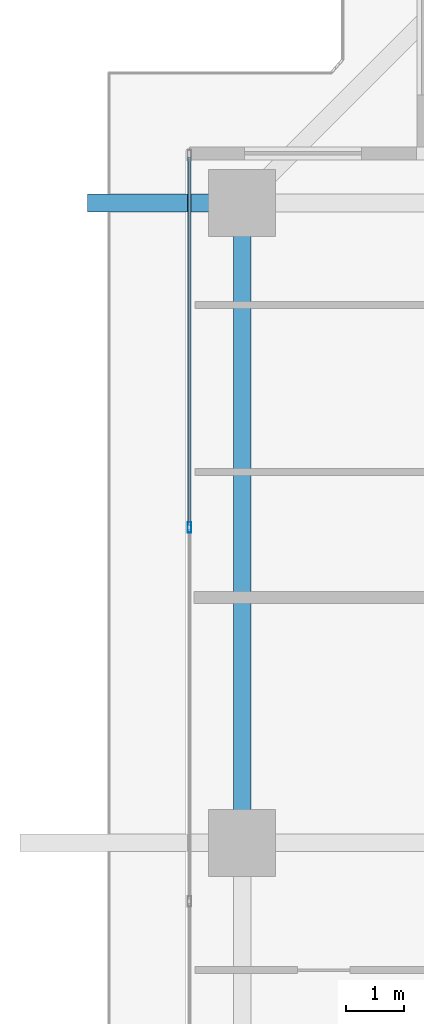
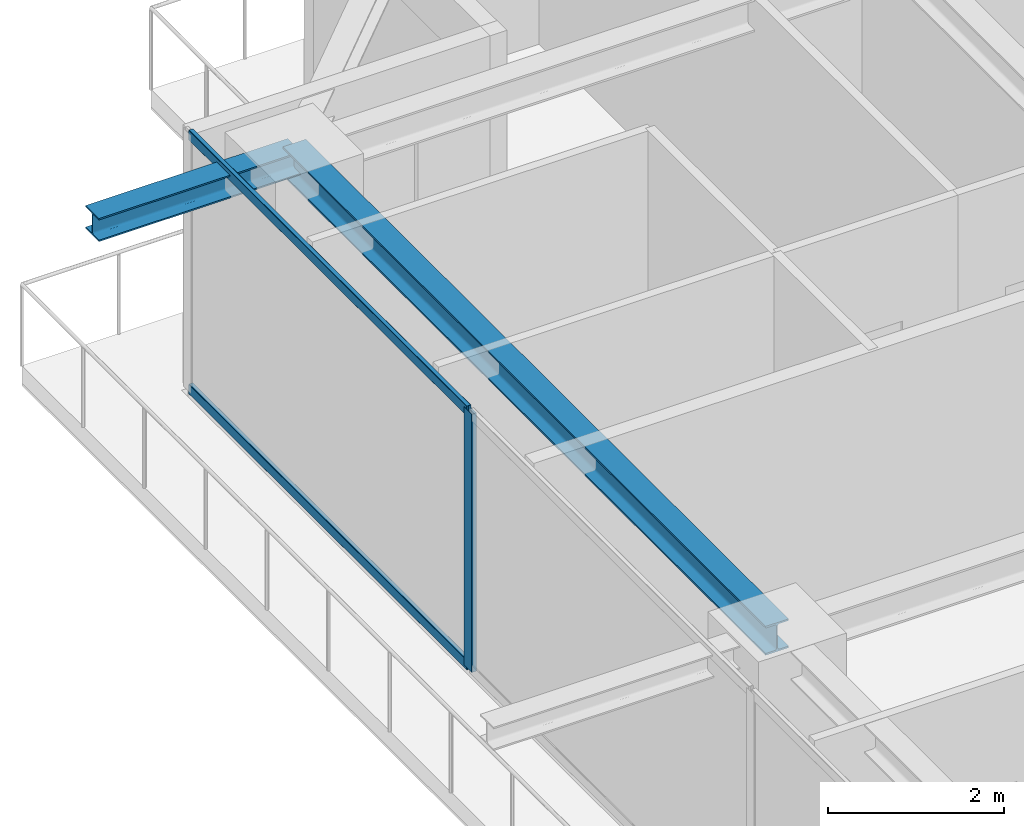
# One storey, part 16 of 37: 3 members, 2 beams, 1 element without a shape of its own.
"""IFC4 building model written with IfcOpenShell, lengths in metres."""

from ifc_helpers import new_model, si_unit, direction, frame, origin, origin_2d, place, context, subcontext, project, spatial, hollow_rectangle, i_section, extrude, source, transform, mapped, material, layer, layer_set, material_profile, profile_set, type_object, element, aggregate, save


model = new_model("IFC4")

# Units and contexts
model_context = context("Model", 3, precision=1e-05, world=origin(), true_north=direction((0.0, 1.0)))
body_context = subcontext(model_context, "Body", "Model", "MODEL_VIEW")
ifc_project = project(units=[si_unit("LENGTHUNIT", "METRE"), si_unit("AREAUNIT", "SQUARE_METRE"), si_unit("VOLUMEUNIT", "CUBIC_METRE"), si_unit("PLANEANGLEUNIT", "RADIAN"), si_unit("MASSUNIT", "GRAM", prefix="KILO")], contexts=[model_context])

# Site, building, storey
site_placement = place(None, origin())
site = spatial("IfcSite", under=ifc_project, at=site_placement, CompositionType="ELEMENT")
building_placement = place(site_placement, origin())
building = spatial("IfcBuilding", under=site, at=building_placement, Name="Serunith Strait Residences", CompositionType="ELEMENT")
storey_placement = place(building_placement, frame((0.0, 0.0, 279.75)))
storey = spatial("IfcBuildingStorey", under=building, at=storey_placement, Name="L70", CompositionType="ELEMENT", Elevation=279.75)

# Beams
ifc_material_1 = material(Name="Steel S355J2", Category="steel")
ifc_material_profile_1 = material_profile(ifc_material_1, i_section(OverallWidth=0.300048828125, OverallDepth=0.39990234375, WebThickness=0.013427734375, FlangeThickness=0.02392578125, FilletRadius=0.027099609375, at=origin_2d()), Name="HEB 400")
ifc_profile_set_1 = profile_set([ifc_material_profile_1], Name="Steel S355J2")
beam_type_1 = type_object("IfcBeamType", Name="BM-HEB400", PredefinedType="BEAM", material=ifc_profile_set_1)
shared_shape_1 = source(origin(), body_context, "Body", "SweptSolid", [
    extrude(i_section(OverallWidth=0.300048828125, OverallDepth=0.39990234375, WebThickness=0.013427734375, FlangeThickness=0.02392578125, FilletRadius=0.027099609375, at=origin_2d()), origin(), (0.0, 0.0, 1.0), 10.9501953125),
])
beam_1_placement = place(storey_placement, frame((8.300048828125, 40.35009765625, 3.386962890625), z_axis=(0.0, -1.0, 0.0), x_axis=(1.0, 0.0, 0.0)))
element("IfcBeam", 1, at=beam_1_placement, inside=storey, type_object=beam_type_1, Name="L70 Perimeter Ring Beam 13", PredefinedType="BEAM", context=body_context, shape_type="MappedRepresentation", body=[
    mapped(shared_shape_1, transform((0.0, 0.0, 0.0), scale=1.0)),
])
ifc_material_profile_2 = material_profile(ifc_material_1, i_section(OverallWidth=0.300048828125, OverallDepth=0.320068359375, WebThickness=0.011474609375, FlangeThickness=0.0205078125, FilletRadius=0.027099609375, at=origin_2d()), Name="HEB 320")
ifc_profile_set_2 = profile_set([ifc_material_profile_2], Name="Steel S355J2")
beam_type_2 = type_object("IfcBeamType", Name="BM-HEB320", PredefinedType="BEAM", material=ifc_profile_set_2)
shared_shape_2 = source(origin(), body_context, "Body", "SweptSolid", [
    extrude(i_section(OverallWidth=0.300048828125, OverallDepth=0.320068359375, WebThickness=0.011474609375, FlangeThickness=0.0205078125, FilletRadius=0.027099609375, at=origin_2d()), origin(), (0.0, 0.0, 1.0), 2.64453125),
])
beam_2_placement = place(storey_placement, frame((8.300048828125, 40.35009765625, 3.39697265625), z_axis=(-1.0, 0.0, 0.0), x_axis=(0.0, -1.0, 0.0)))
element("IfcBeam", 2, at=beam_2_placement, inside=storey, type_object=beam_type_2, Name="L71 Cantilevered Balcony Rib TC-W4", PredefinedType="BEAM", context=body_context, shape_type="MappedRepresentation", body=[
    mapped(shared_shape_2, transform((0.0, 0.0, 0.0), scale=1.0)),
])

# Curtain wall, members
ifc_material_2 = material(Name="Pale-Champagne Anodised Aluminium", Category="aluminium")
ifc_layer = layer(ifc_material_2, 0.199951171875, Name="Pale-Champagne Anodised Aluminium")
ifc_layer_set = layer_set([ifc_layer], Name="Pale-Champagne Anodised Aluminium")
curtain_wall_type = type_object("IfcCurtainWallType", Name="CW-SYS4", PredefinedType="NOTDEFINED", material=ifc_layer_set)
curtain_wall_placement = place(storey_placement, origin())
curtain_wall = element("IfcCurtainWall", 3, at=curtain_wall_placement, inside=storey, type_object=curtain_wall_type, Name="L70 W Unitised Fritted Curtain Wall", PredefinedType="NOTDEFINED")
ifc_material_profile_3 = material_profile(ifc_material_2, hollow_rectangle(XDim=0.06494140625, YDim=0.179931640625, WallThickness=0.00341796875, InnerFilletRadius=0.00537109375, OuterFilletRadius=0.0087890625, at=origin_2d()), Name="ALU 180x65x3.5")
ifc_profile_set_3 = profile_set([ifc_material_profile_3], Name="Pale-Champagne Anodised Aluminium")
member_type_1 = type_object("IfcMemberType", Name="CW-SYS4-MULL", PredefinedType="MULLION", material=ifc_profile_set_3)
shared_shape_3 = source(origin(), body_context, "Body", "SweptSolid", [
    extrude(hollow_rectangle(XDim=0.06494140625, YDim=0.179931640625, WallThickness=0.00341796875, InnerFilletRadius=0.00537109375, OuterFilletRadius=0.0087890625, at=origin_2d()), origin(), (0.0, 0.0, 1.0), 3.574951171875),
])
member_1_placement = place(storey_placement, frame((7.39990234375, 34.800048828125, 0.0), z_axis=(0.0, 0.0, 1.0), x_axis=(1.0, 0.0, 0.0)))
member_1 = element("IfcMember", 4, at=member_1_placement, type_object=member_type_1, Name="CW-4 mullion 2", PredefinedType="MULLION", context=body_context, shape_type="MappedRepresentation", body=[
    mapped(shared_shape_3, transform((0.0, 0.0, 0.0), scale=1.0)),
])
ifc_material_profile_4 = material_profile(ifc_material_2, hollow_rectangle(XDim=0.06005859375, YDim=0.139892578125, WallThickness=0.00341796875, InnerFilletRadius=0.00537109375, OuterFilletRadius=0.0087890625, at=origin_2d()), Name="ALU 140x60x3.5")
ifc_profile_set_4 = profile_set([ifc_material_profile_4], Name="Pale-Champagne Anodised Aluminium")
member_type_2 = type_object("IfcMemberType", Name="CW-SYS4-TRAN", PredefinedType="USERDEFINED", material=ifc_profile_set_4)
shared_shape_4 = source(origin(), body_context, "Body", "SweptSolid", [
    extrude(hollow_rectangle(XDim=0.06005859375, YDim=0.139892578125, WallThickness=0.00341796875, InnerFilletRadius=0.00537109375, OuterFilletRadius=0.0087890625, at=origin_2d()), origin(), (0.0, 0.0, 1.0), 6.302490234375),
])
member_2_placement = place(storey_placement, frame((7.39990234375, 41.135009765625, 0.030029296875), z_axis=(0.0, -1.0, 0.0), x_axis=(1.0, 0.0, 0.0)))
member_2 = element("IfcMember", 5, at=member_2_placement, type_object=member_type_2, Name="CW-4 transom 1.1", ObjectType="TRANSOM", PredefinedType="USERDEFINED", context=body_context, shape_type="MappedRepresentation", body=[
    mapped(shared_shape_4, transform((0.0, 0.0, 0.0), scale=1.0)),
])
member_3_placement = place(storey_placement, frame((7.39990234375, 41.135009765625, 3.544921875), z_axis=(0.0, -1.0, 0.0), x_axis=(1.0, 0.0, 0.0)))
member_3 = element("IfcMember", 6, at=member_3_placement, type_object=member_type_2, Name="CW-4 transom 1.2", ObjectType="TRANSOM", PredefinedType="USERDEFINED", context=body_context, shape_type="MappedRepresentation", body=[
    mapped(shared_shape_4, transform((0.0, 0.0, 0.0), scale=1.0)),
])
aggregate(curtain_wall, [member_1, member_2, member_3])

save(model, "model.ifc")
